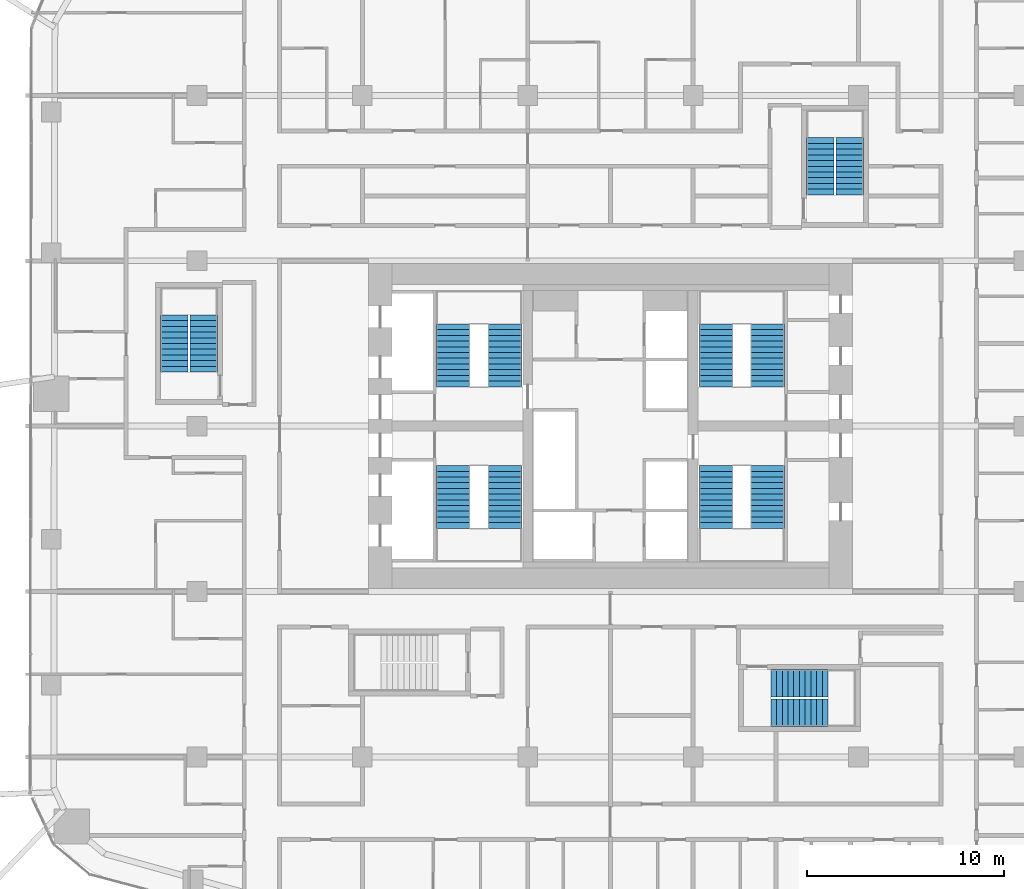
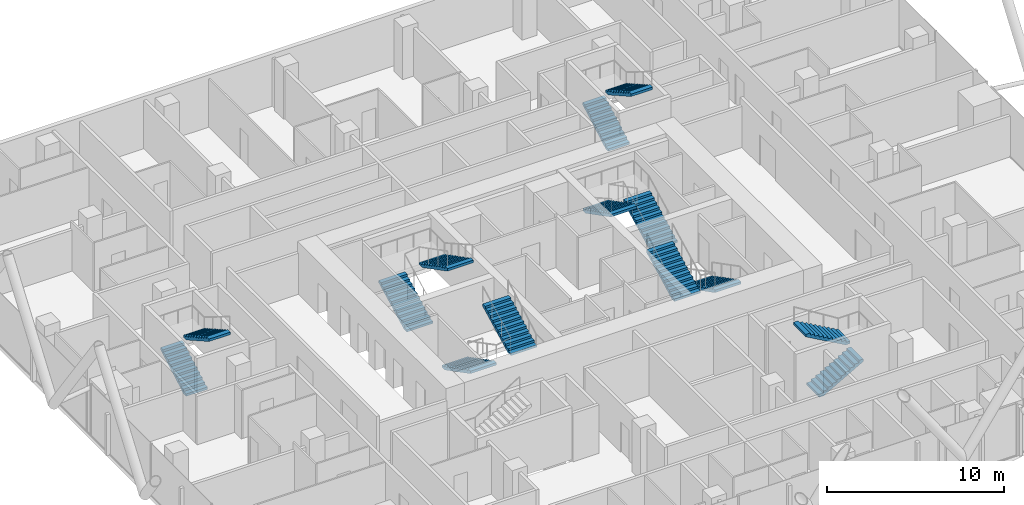
# One storey, part 36 of 38: 14 stair flights, 7 elements without a shape of their own.
"""IFC4 building model written with IfcOpenShell, lengths in metres."""

from ifc_helpers import new_model, si_unit, direction, frame, origin, place, context, subcontext, project, spatial, polyline, outline, extrude, material, type_object, element, aggregate, save


model = new_model("IFC4")

# Units and contexts
model_context = context("Model", 3, precision=1e-05, world=origin(), true_north=direction((0.0, 1.0)))
body_context = subcontext(model_context, "Body", "Model", "MODEL_VIEW")
ifc_project = project(units=[si_unit("LENGTHUNIT", "METRE"), si_unit("AREAUNIT", "SQUARE_METRE"), si_unit("VOLUMEUNIT", "CUBIC_METRE"), si_unit("PLANEANGLEUNIT", "RADIAN"), si_unit("MASSUNIT", "GRAM", prefix="KILO")], contexts=[model_context])

# Site, building, storey
site_placement = place(None, origin())
site = spatial("IfcSite", under=ifc_project, at=site_placement, CompositionType="ELEMENT")
building_placement = place(site_placement, origin())
building = spatial("IfcBuilding", under=site, at=building_placement, Name="Marenta Gate Hotel Tower", CompositionType="ELEMENT")
storey_placement = place(building_placement, frame((0.0, 0.0, 68.89990234375)))
storey = spatial("IfcBuildingStorey", under=building, at=storey_placement, Name="L15", CompositionType="ELEMENT", Elevation=68.89990234375)

# Stair, stair flights
ifc_material_1 = material(Name="Concrete C40", Category="concrete")
stair_type_1 = type_object("IfcStairType", Name="Core exit stair 1700 wide", PredefinedType="HALF_TURN_STAIR", material=ifc_material_1)
stair_1_placement = place(storey_placement, origin())
stair_1 = element("IfcStair", 1, at=stair_1_placement, inside=storey, type_object=stair_type_1, Name="Exit stair 1", PredefinedType="HALF_TURN_STAIR")
ifc_material_2 = material(Name="Concrete C40", Category="concrete")
stair_flight_type_1 = type_object("IfcStairFlightType", Name="Core stair flight 1700 riser 150.0 going 290", PredefinedType="STRAIGHT", material=ifc_material_2)
stair_flight_1_placement = place(storey_placement, frame((-8.0, 6.39990234375, 0.0), z_axis=(0.0, 0.0, 1.0), x_axis=(0.0, -1.0, 0.0)))
stair_flight_1 = element("IfcStairFlight", 2, at=stair_flight_1_placement, type_object=stair_flight_type_1, Name="ST1 flight 1", NumberOfRisers=12, NumberOfTreads=11, PredefinedType="STRAIGHT", RiserHeight=0.15, TreadLength=0.29, context=body_context, shape_type="SweptSolid", body=[
    extrude(outline(polyline([(0.0, 0.0), (0.0, 0.14990234375), (0.2900390625, 0.14990234375), (0.2900390625, 0.300048828125), (0.580078125, 0.300048828125), (0.580078125, 0.449951171875), (0.8701171875, 0.449951171875), (0.8701171875, 0.60009765625), (1.159912109375, 0.60009765625), (1.159912109375, 0.75), (1.449951171875, 0.75), (1.449951171875, 0.89990234375), (1.739990234375, 0.89990234375), (1.739990234375, 1.050048828125), (2.030029296875, 1.050048828125), (2.030029296875, 1.199951171875), (2.320068359375, 1.199951171875), (2.320068359375, 1.35009765625), (2.610107421875, 1.35009765625), (2.610107421875, 1.5), (2.89990234375, 1.5), (2.89990234375, 1.64990234375), (3.18994140625, 1.64990234375), (3.18994140625, 1.800048828125), (3.18994140625, 1.481201171875), (0.326171875, 0.0), (0.0, 0.0)])), frame((0.0, 0.85009765625, 0.0), z_axis=(0.0, -1.0, 0.0), x_axis=(1.0, 0.0, 0.0)), (0.0, 0.0, 1.0), 1.699951171875),
])
stair_flight_2_placement = place(storey_placement, frame((-5.35009765625, 3.2099609375, 1.800048828125), z_axis=(0.0, 0.0, 1.0), x_axis=(0.0, 1.0, 0.0)))
stair_flight_2 = element("IfcStairFlight", 3, at=stair_flight_2_placement, type_object=stair_flight_type_1, Name="ST1 flight 2", NumberOfRisers=12, NumberOfTreads=11, PredefinedType="STRAIGHT", RiserHeight=0.15, TreadLength=0.29, context=body_context, shape_type="SweptSolid", body=[
    extrude(outline(polyline([(0.0, 0.0), (0.0, 0.14990234375), (0.2900390625, 0.14990234375), (0.2900390625, 0.300048828125), (0.580078125, 0.300048828125), (0.580078125, 0.449951171875), (0.8701171875, 0.449951171875), (0.8701171875, 0.60009765625), (1.159912109375, 0.60009765625), (1.159912109375, 0.75), (1.449951171875, 0.75), (1.449951171875, 0.89990234375), (1.739990234375, 0.89990234375), (1.739990234375, 1.050048828125), (2.030029296875, 1.050048828125), (2.030029296875, 1.199951171875), (2.320068359375, 1.199951171875), (2.320068359375, 1.35009765625), (2.610107421875, 1.35009765625), (2.610107421875, 1.5), (2.89990234375, 1.5), (2.89990234375, 1.64990234375), (3.18994140625, 1.64990234375), (3.18994140625, 1.800048828125), (3.18994140625, 1.481201171875), (0.326171875, 0.0), (0.0, 0.0)])), frame((0.0, 0.85009765625, 0.0), z_axis=(0.0, -1.0, 0.0), x_axis=(1.0, 0.0, 0.0)), (0.0, 0.0, 1.0), 1.699951171875),
])
aggregate(stair_1, [stair_flight_1, stair_flight_2])

stair_2_placement = place(storey_placement, origin())
stair_2 = element("IfcStair", 4, at=stair_2_placement, inside=storey, type_object=stair_type_1, Name="Exit stair 2", PredefinedType="HALF_TURN_STAIR")
stair_flight_3_placement = place(storey_placement, frame((-8.0, 10.39990234375, 0.0), z_axis=(0.0, 0.0, 1.0), x_axis=(0.0, 1.0, 0.0)))
stair_flight_3 = element("IfcStairFlight", 5, at=stair_flight_3_placement, type_object=stair_flight_type_1, Name="ST2 flight 1", NumberOfRisers=12, NumberOfTreads=11, PredefinedType="STRAIGHT", RiserHeight=0.15, TreadLength=0.29, context=body_context, shape_type="SweptSolid", body=[
    extrude(outline(polyline([(0.0, 0.0), (0.0, 0.14990234375), (0.2900390625, 0.14990234375), (0.2900390625, 0.300048828125), (0.580078125, 0.300048828125), (0.580078125, 0.449951171875), (0.8701171875, 0.449951171875), (0.8701171875, 0.60009765625), (1.159912109375, 0.60009765625), (1.159912109375, 0.75), (1.449951171875, 0.75), (1.449951171875, 0.89990234375), (1.739990234375, 0.89990234375), (1.739990234375, 1.050048828125), (2.030029296875, 1.050048828125), (2.030029296875, 1.199951171875), (2.320068359375, 1.199951171875), (2.320068359375, 1.35009765625), (2.610107421875, 1.35009765625), (2.610107421875, 1.5), (2.89990234375, 1.5), (2.89990234375, 1.64990234375), (3.18994140625, 1.64990234375), (3.18994140625, 1.800048828125), (3.18994140625, 1.481201171875), (0.326171875, 0.0), (0.0, 0.0)])), frame((0.0, 0.85009765625, 0.0), z_axis=(0.0, -1.0, 0.0), x_axis=(1.0, 0.0, 0.0)), (0.0, 0.0, 1.0), 1.699951171875),
])
stair_flight_4_placement = place(storey_placement, frame((-5.35009765625, 13.590087890625, 1.800048828125), z_axis=(0.0, 0.0, 1.0), x_axis=(0.0, -1.0, 0.0)))
stair_flight_4 = element("IfcStairFlight", 6, at=stair_flight_4_placement, type_object=stair_flight_type_1, Name="ST2 flight 2", NumberOfRisers=12, NumberOfTreads=11, PredefinedType="STRAIGHT", RiserHeight=0.15, TreadLength=0.29, context=body_context, shape_type="SweptSolid", body=[
    extrude(outline(polyline([(0.0, 0.0), (0.0, 0.14990234375), (0.2900390625, 0.14990234375), (0.2900390625, 0.300048828125), (0.580078125, 0.300048828125), (0.580078125, 0.449951171875), (0.8701171875, 0.449951171875), (0.8701171875, 0.60009765625), (1.159912109375, 0.60009765625), (1.159912109375, 0.75), (1.449951171875, 0.75), (1.449951171875, 0.89990234375), (1.739990234375, 0.89990234375), (1.739990234375, 1.050048828125), (2.030029296875, 1.050048828125), (2.030029296875, 1.199951171875), (2.320068359375, 1.199951171875), (2.320068359375, 1.35009765625), (2.610107421875, 1.35009765625), (2.610107421875, 1.5), (2.89990234375, 1.5), (2.89990234375, 1.64990234375), (3.18994140625, 1.64990234375), (3.18994140625, 1.800048828125), (3.18994140625, 1.481201171875), (0.326171875, 0.0), (0.0, 0.0)])), frame((0.0, 0.85009765625, 0.0), z_axis=(0.0, -1.0, 0.0), x_axis=(1.0, 0.0, 0.0)), (0.0, 0.0, 1.0), 1.699951171875),
])
aggregate(stair_2, [stair_flight_3, stair_flight_4])

stair_3_placement = place(storey_placement, origin())
stair_3 = element("IfcStair", 7, at=stair_3_placement, inside=storey, type_object=stair_type_1, Name="Exit stair 3", PredefinedType="HALF_TURN_STAIR")
stair_flight_5_placement = place(storey_placement, frame((8.0, 6.39990234375, 0.0), z_axis=(0.0, 0.0, 1.0), x_axis=(0.0, -1.0, 0.0)))
stair_flight_5 = element("IfcStairFlight", 8, at=stair_flight_5_placement, type_object=stair_flight_type_1, Name="ST3 flight 1", NumberOfRisers=12, NumberOfTreads=11, PredefinedType="STRAIGHT", RiserHeight=0.15, TreadLength=0.29, context=body_context, shape_type="SweptSolid", body=[
    extrude(outline(polyline([(0.0, 0.0), (0.0, 0.14990234375), (0.2900390625, 0.14990234375), (0.2900390625, 0.300048828125), (0.580078125, 0.300048828125), (0.580078125, 0.449951171875), (0.8701171875, 0.449951171875), (0.8701171875, 0.60009765625), (1.159912109375, 0.60009765625), (1.159912109375, 0.75), (1.449951171875, 0.75), (1.449951171875, 0.89990234375), (1.739990234375, 0.89990234375), (1.739990234375, 1.050048828125), (2.030029296875, 1.050048828125), (2.030029296875, 1.199951171875), (2.320068359375, 1.199951171875), (2.320068359375, 1.35009765625), (2.610107421875, 1.35009765625), (2.610107421875, 1.5), (2.89990234375, 1.5), (2.89990234375, 1.64990234375), (3.18994140625, 1.64990234375), (3.18994140625, 1.800048828125), (3.18994140625, 1.481201171875), (0.326171875, 0.0), (0.0, 0.0)])), frame((0.0, 0.85009765625, 0.0), z_axis=(0.0, -1.0, 0.0), x_axis=(1.0, 0.0, 0.0)), (0.0, 0.0, 1.0), 1.699951171875),
])
stair_flight_6_placement = place(storey_placement, frame((5.35009765625, 3.2099609375, 1.800048828125), z_axis=(0.0, 0.0, 1.0), x_axis=(0.0, 1.0, 0.0)))
stair_flight_6 = element("IfcStairFlight", 9, at=stair_flight_6_placement, type_object=stair_flight_type_1, Name="ST3 flight 2", NumberOfRisers=12, NumberOfTreads=11, PredefinedType="STRAIGHT", RiserHeight=0.15, TreadLength=0.29, context=body_context, shape_type="SweptSolid", body=[
    extrude(outline(polyline([(0.0, 0.0), (0.0, 0.14990234375), (0.2900390625, 0.14990234375), (0.2900390625, 0.300048828125), (0.580078125, 0.300048828125), (0.580078125, 0.449951171875), (0.8701171875, 0.449951171875), (0.8701171875, 0.60009765625), (1.159912109375, 0.60009765625), (1.159912109375, 0.75), (1.449951171875, 0.75), (1.449951171875, 0.89990234375), (1.739990234375, 0.89990234375), (1.739990234375, 1.050048828125), (2.030029296875, 1.050048828125), (2.030029296875, 1.199951171875), (2.320068359375, 1.199951171875), (2.320068359375, 1.35009765625), (2.610107421875, 1.35009765625), (2.610107421875, 1.5), (2.89990234375, 1.5), (2.89990234375, 1.64990234375), (3.18994140625, 1.64990234375), (3.18994140625, 1.800048828125), (3.18994140625, 1.481201171875), (0.326171875, 0.0), (0.0, 0.0)])), frame((0.0, 0.85009765625, 0.0), z_axis=(0.0, -1.0, 0.0), x_axis=(1.0, 0.0, 0.0)), (0.0, 0.0, 1.0), 1.699951171875),
])
aggregate(stair_3, [stair_flight_5, stair_flight_6])

stair_4_placement = place(storey_placement, origin())
stair_4 = element("IfcStair", 10, at=stair_4_placement, inside=storey, type_object=stair_type_1, Name="Exit stair 4", PredefinedType="HALF_TURN_STAIR")
stair_flight_7_placement = place(storey_placement, frame((8.0, 10.39990234375, 0.0), z_axis=(0.0, 0.0, 1.0), x_axis=(0.0, 1.0, 0.0)))
stair_flight_7 = element("IfcStairFlight", 11, at=stair_flight_7_placement, type_object=stair_flight_type_1, Name="ST4 flight 1", NumberOfRisers=12, NumberOfTreads=11, PredefinedType="STRAIGHT", RiserHeight=0.15, TreadLength=0.29, context=body_context, shape_type="SweptSolid", body=[
    extrude(outline(polyline([(0.0, 0.0), (0.0, 0.14990234375), (0.2900390625, 0.14990234375), (0.2900390625, 0.300048828125), (0.580078125, 0.300048828125), (0.580078125, 0.449951171875), (0.8701171875, 0.449951171875), (0.8701171875, 0.60009765625), (1.159912109375, 0.60009765625), (1.159912109375, 0.75), (1.449951171875, 0.75), (1.449951171875, 0.89990234375), (1.739990234375, 0.89990234375), (1.739990234375, 1.050048828125), (2.030029296875, 1.050048828125), (2.030029296875, 1.199951171875), (2.320068359375, 1.199951171875), (2.320068359375, 1.35009765625), (2.610107421875, 1.35009765625), (2.610107421875, 1.5), (2.89990234375, 1.5), (2.89990234375, 1.64990234375), (3.18994140625, 1.64990234375), (3.18994140625, 1.800048828125), (3.18994140625, 1.481201171875), (0.326171875, 0.0), (0.0, 0.0)])), frame((0.0, 0.85009765625, 0.0), z_axis=(0.0, -1.0, 0.0), x_axis=(1.0, 0.0, 0.0)), (0.0, 0.0, 1.0), 1.699951171875),
])
stair_flight_8_placement = place(storey_placement, frame((5.35009765625, 13.590087890625, 1.800048828125), z_axis=(0.0, 0.0, 1.0), x_axis=(0.0, -1.0, 0.0)))
stair_flight_8 = element("IfcStairFlight", 12, at=stair_flight_8_placement, type_object=stair_flight_type_1, Name="ST4 flight 2", NumberOfRisers=12, NumberOfTreads=11, PredefinedType="STRAIGHT", RiserHeight=0.15, TreadLength=0.29, context=body_context, shape_type="SweptSolid", body=[
    extrude(outline(polyline([(0.0, 0.0), (0.0, 0.14990234375), (0.2900390625, 0.14990234375), (0.2900390625, 0.300048828125), (0.580078125, 0.300048828125), (0.580078125, 0.449951171875), (0.8701171875, 0.449951171875), (0.8701171875, 0.60009765625), (1.159912109375, 0.60009765625), (1.159912109375, 0.75), (1.449951171875, 0.75), (1.449951171875, 0.89990234375), (1.739990234375, 0.89990234375), (1.739990234375, 1.050048828125), (2.030029296875, 1.050048828125), (2.030029296875, 1.199951171875), (2.320068359375, 1.199951171875), (2.320068359375, 1.35009765625), (2.610107421875, 1.35009765625), (2.610107421875, 1.5), (2.89990234375, 1.5), (2.89990234375, 1.64990234375), (3.18994140625, 1.64990234375), (3.18994140625, 1.800048828125), (3.18994140625, 1.481201171875), (0.326171875, 0.0), (0.0, 0.0)])), frame((0.0, 0.85009765625, 0.0), z_axis=(0.0, -1.0, 0.0), x_axis=(1.0, 0.0, 0.0)), (0.0, 0.0, 1.0), 1.699951171875),
])
aggregate(stair_4, [stair_flight_7, stair_flight_8])

ifc_material_3 = material(Name="Concrete C40", Category="concrete")
stair_type_2 = type_object("IfcStairType", Name="Remote exit stair 1400 wide", PredefinedType="HALF_TURN_STAIR", material=ifc_material_3)
stair_5_placement = place(storey_placement, origin())
stair_5 = element("IfcStair", 13, at=stair_5_placement, inside=storey, type_object=stair_type_2, Name="Exit stair RS-Z1-1", PredefinedType="HALF_TURN_STAIR")
ifc_material_4 = material(Name="Concrete C40", Category="concrete")
stair_flight_type_2 = type_object("IfcStairFlightType", Name="Remote stair flight 1400 riser 163.6 going 290", PredefinedType="STRAIGHT", material=ifc_material_4)
stair_flight_9_placement = place(storey_placement, frame((8.14990234375, -6.14990234375, 0.0), z_axis=(0.0, 0.0, 1.0), x_axis=(1.0, 0.0, 0.0)))
stair_flight_9 = element("IfcStairFlight", 14, at=stair_flight_9_placement, type_object=stair_flight_type_2, Name="RS-Z1-1 flight 1", NumberOfRisers=11, NumberOfTreads=10, PredefinedType="STRAIGHT", RiserHeight=0.163636, TreadLength=0.29, context=body_context, shape_type="SweptSolid", body=[
    extrude(outline(polyline([(0.0, 0.0), (0.0, 0.16357421875), (0.2900390625, 0.16357421875), (0.2900390625, 0.327392578125), (0.580078125, 0.327392578125), (0.580078125, 0.490966796875), (0.8701171875, 0.490966796875), (0.8701171875, 0.654541015625), (1.159912109375, 0.654541015625), (1.159912109375, 0.818115234375), (1.449951171875, 0.818115234375), (1.449951171875, 0.98193359375), (1.739990234375, 0.98193359375), (1.739990234375, 1.1455078125), (2.030029296875, 1.1455078125), (2.030029296875, 1.30908203125), (2.320068359375, 1.30908203125), (2.320068359375, 1.47265625), (2.610107421875, 1.47265625), (2.610107421875, 1.636474609375), (2.89990234375, 1.636474609375), (2.89990234375, 1.800048828125), (2.89990234375, 1.46435546875), (0.304931640625, 0.0), (0.0, 0.0)])), frame((0.0, 0.699951171875, 0.0), z_axis=(0.0, -1.0, 0.0), x_axis=(1.0, 0.0, 0.0)), (0.0, 0.0, 1.0), 1.39990234375),
])
stair_flight_10_placement = place(storey_placement, frame((11.050048828125, -4.64990234375, 1.800048828125), z_axis=(0.0, 0.0, 1.0), x_axis=(-1.0, 0.0, 0.0)))
stair_flight_10 = element("IfcStairFlight", 15, at=stair_flight_10_placement, type_object=stair_flight_type_2, Name="RS-Z1-1 flight 2", NumberOfRisers=11, NumberOfTreads=10, PredefinedType="STRAIGHT", RiserHeight=0.163636, TreadLength=0.29, context=body_context, shape_type="SweptSolid", body=[
    extrude(outline(polyline([(0.0, 0.0), (0.0, 0.16357421875), (0.2900390625, 0.16357421875), (0.2900390625, 0.327392578125), (0.580078125, 0.327392578125), (0.580078125, 0.490966796875), (0.8701171875, 0.490966796875), (0.8701171875, 0.654541015625), (1.159912109375, 0.654541015625), (1.159912109375, 0.818115234375), (1.449951171875, 0.818115234375), (1.449951171875, 0.98193359375), (1.739990234375, 0.98193359375), (1.739990234375, 1.1455078125), (2.030029296875, 1.1455078125), (2.030029296875, 1.30908203125), (2.320068359375, 1.30908203125), (2.320068359375, 1.47265625), (2.610107421875, 1.47265625), (2.610107421875, 1.636474609375), (2.89990234375, 1.636474609375), (2.89990234375, 1.800048828125), (2.89990234375, 1.46435546875), (0.304931640625, 0.0), (0.0, 0.0)])), frame((0.0, 0.699951171875, 0.0), z_axis=(0.0, -1.0, 0.0), x_axis=(1.0, 0.0, 0.0)), (0.0, 0.0, 1.0), 1.39990234375),
])
aggregate(stair_5, [stair_flight_9, stair_flight_10])

stair_6_placement = place(storey_placement, origin())
stair_6 = element("IfcStair", 16, at=stair_6_placement, inside=storey, type_object=stair_type_2, Name="Exit stair RS-Z1-3", PredefinedType="HALF_TURN_STAIR")
stair_flight_11_placement = place(storey_placement, frame((-22.14990234375, 11.14990234375, 0.0), z_axis=(0.0, 0.0, 1.0), x_axis=(0.0, 1.0, 0.0)))
stair_flight_11 = element("IfcStairFlight", 17, at=stair_flight_11_placement, type_object=stair_flight_type_2, Name="RS-Z1-3 flight 1", NumberOfRisers=11, NumberOfTreads=10, PredefinedType="STRAIGHT", RiserHeight=0.163636, TreadLength=0.29, context=body_context, shape_type="SweptSolid", body=[
    extrude(outline(polyline([(0.0, 0.0), (0.0, 0.16357421875), (0.2900390625, 0.16357421875), (0.2900390625, 0.327392578125), (0.580078125, 0.327392578125), (0.580078125, 0.490966796875), (0.8701171875, 0.490966796875), (0.8701171875, 0.654541015625), (1.159912109375, 0.654541015625), (1.159912109375, 0.818115234375), (1.449951171875, 0.818115234375), (1.449951171875, 0.98193359375), (1.739990234375, 0.98193359375), (1.739990234375, 1.1455078125), (2.030029296875, 1.1455078125), (2.030029296875, 1.30908203125), (2.320068359375, 1.30908203125), (2.320068359375, 1.47265625), (2.610107421875, 1.47265625), (2.610107421875, 1.636474609375), (2.89990234375, 1.636474609375), (2.89990234375, 1.800048828125), (2.89990234375, 1.46435546875), (0.304931640625, 0.0), (0.0, 0.0)])), frame((0.0, 0.699951171875, 0.0), z_axis=(0.0, -1.0, 0.0), x_axis=(1.0, 0.0, 0.0)), (0.0, 0.0, 1.0), 1.39990234375),
])
stair_flight_12_placement = place(storey_placement, frame((-20.64990234375, 14.050048828125, 1.800048828125), z_axis=(0.0, 0.0, 1.0), x_axis=(0.0, -1.0, 0.0)))
stair_flight_12 = element("IfcStairFlight", 18, at=stair_flight_12_placement, type_object=stair_flight_type_2, Name="RS-Z1-3 flight 2", NumberOfRisers=11, NumberOfTreads=10, PredefinedType="STRAIGHT", RiserHeight=0.163636, TreadLength=0.29, context=body_context, shape_type="SweptSolid", body=[
    extrude(outline(polyline([(0.0, 0.0), (0.0, 0.16357421875), (0.2900390625, 0.16357421875), (0.2900390625, 0.327392578125), (0.580078125, 0.327392578125), (0.580078125, 0.490966796875), (0.8701171875, 0.490966796875), (0.8701171875, 0.654541015625), (1.159912109375, 0.654541015625), (1.159912109375, 0.818115234375), (1.449951171875, 0.818115234375), (1.449951171875, 0.98193359375), (1.739990234375, 0.98193359375), (1.739990234375, 1.1455078125), (2.030029296875, 1.1455078125), (2.030029296875, 1.30908203125), (2.320068359375, 1.30908203125), (2.320068359375, 1.47265625), (2.610107421875, 1.47265625), (2.610107421875, 1.636474609375), (2.89990234375, 1.636474609375), (2.89990234375, 1.800048828125), (2.89990234375, 1.46435546875), (0.304931640625, 0.0), (0.0, 0.0)])), frame((0.0, 0.699951171875, 0.0), z_axis=(0.0, -1.0, 0.0), x_axis=(1.0, 0.0, 0.0)), (0.0, 0.0, 1.0), 1.39990234375),
])
aggregate(stair_6, [stair_flight_11, stair_flight_12])

stair_7_placement = place(storey_placement, origin())
stair_7 = element("IfcStair", 19, at=stair_7_placement, inside=storey, type_object=stair_type_2, Name="Exit stair RS-Z1-4", PredefinedType="HALF_TURN_STAIR")
stair_flight_13_placement = place(storey_placement, frame((10.64990234375, 20.14990234375, 0.0), z_axis=(0.0, 0.0, 1.0), x_axis=(0.0, 1.0, 0.0)))
stair_flight_13 = element("IfcStairFlight", 20, at=stair_flight_13_placement, type_object=stair_flight_type_2, Name="RS-Z1-4 flight 1", NumberOfRisers=11, NumberOfTreads=10, PredefinedType="STRAIGHT", RiserHeight=0.163636, TreadLength=0.29, context=body_context, shape_type="SweptSolid", body=[
    extrude(outline(polyline([(0.0, 0.0), (0.0, 0.16357421875), (0.2900390625, 0.16357421875), (0.2900390625, 0.327392578125), (0.580078125, 0.327392578125), (0.580078125, 0.490966796875), (0.8701171875, 0.490966796875), (0.8701171875, 0.654541015625), (1.159912109375, 0.654541015625), (1.159912109375, 0.818115234375), (1.449951171875, 0.818115234375), (1.449951171875, 0.98193359375), (1.739990234375, 0.98193359375), (1.739990234375, 1.1455078125), (2.030029296875, 1.1455078125), (2.030029296875, 1.30908203125), (2.320068359375, 1.30908203125), (2.320068359375, 1.47265625), (2.610107421875, 1.47265625), (2.610107421875, 1.636474609375), (2.89990234375, 1.636474609375), (2.89990234375, 1.800048828125), (2.89990234375, 1.46435546875), (0.304931640625, 0.0), (0.0, 0.0)])), frame((0.0, 0.699951171875, 0.0), z_axis=(0.0, -1.0, 0.0), x_axis=(1.0, 0.0, 0.0)), (0.0, 0.0, 1.0), 1.39990234375),
])
stair_flight_14_placement = place(storey_placement, frame((12.14990234375, 23.050048828125, 1.800048828125), z_axis=(0.0, 0.0, 1.0), x_axis=(0.0, -1.0, 0.0)))
stair_flight_14 = element("IfcStairFlight", 21, at=stair_flight_14_placement, type_object=stair_flight_type_2, Name="RS-Z1-4 flight 2", NumberOfRisers=11, NumberOfTreads=10, PredefinedType="STRAIGHT", RiserHeight=0.163636, TreadLength=0.29, context=body_context, shape_type="SweptSolid", body=[
    extrude(outline(polyline([(0.0, 0.0), (0.0, 0.16357421875), (0.2900390625, 0.16357421875), (0.2900390625, 0.327392578125), (0.580078125, 0.327392578125), (0.580078125, 0.490966796875), (0.8701171875, 0.490966796875), (0.8701171875, 0.654541015625), (1.159912109375, 0.654541015625), (1.159912109375, 0.818115234375), (1.449951171875, 0.818115234375), (1.449951171875, 0.98193359375), (1.739990234375, 0.98193359375), (1.739990234375, 1.1455078125), (2.030029296875, 1.1455078125), (2.030029296875, 1.30908203125), (2.320068359375, 1.30908203125), (2.320068359375, 1.47265625), (2.610107421875, 1.47265625), (2.610107421875, 1.636474609375), (2.89990234375, 1.636474609375), (2.89990234375, 1.800048828125), (2.89990234375, 1.46435546875), (0.304931640625, 0.0), (0.0, 0.0)])), frame((0.0, 0.699951171875, 0.0), z_axis=(0.0, -1.0, 0.0), x_axis=(1.0, 0.0, 0.0)), (0.0, 0.0, 1.0), 1.39990234375),
])
aggregate(stair_7, [stair_flight_13, stair_flight_14])

save(model, "model.ifc")
